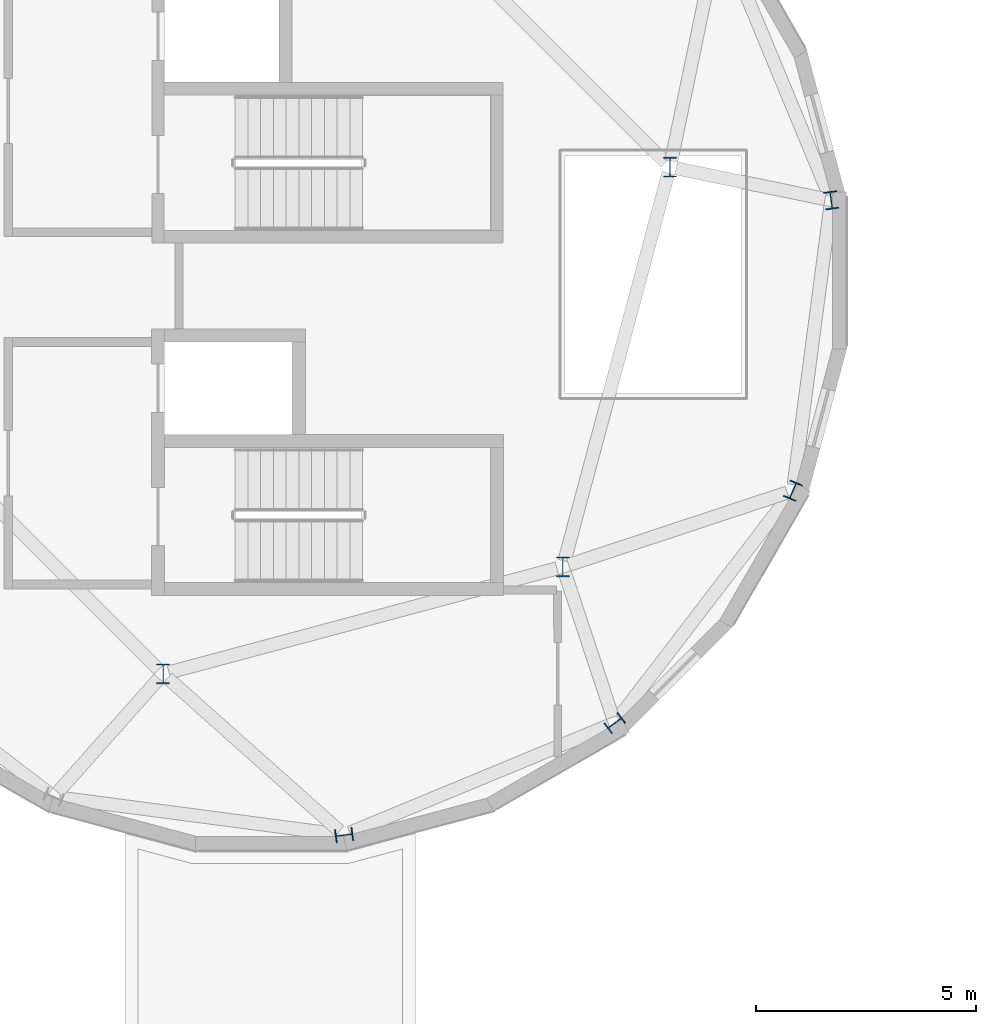
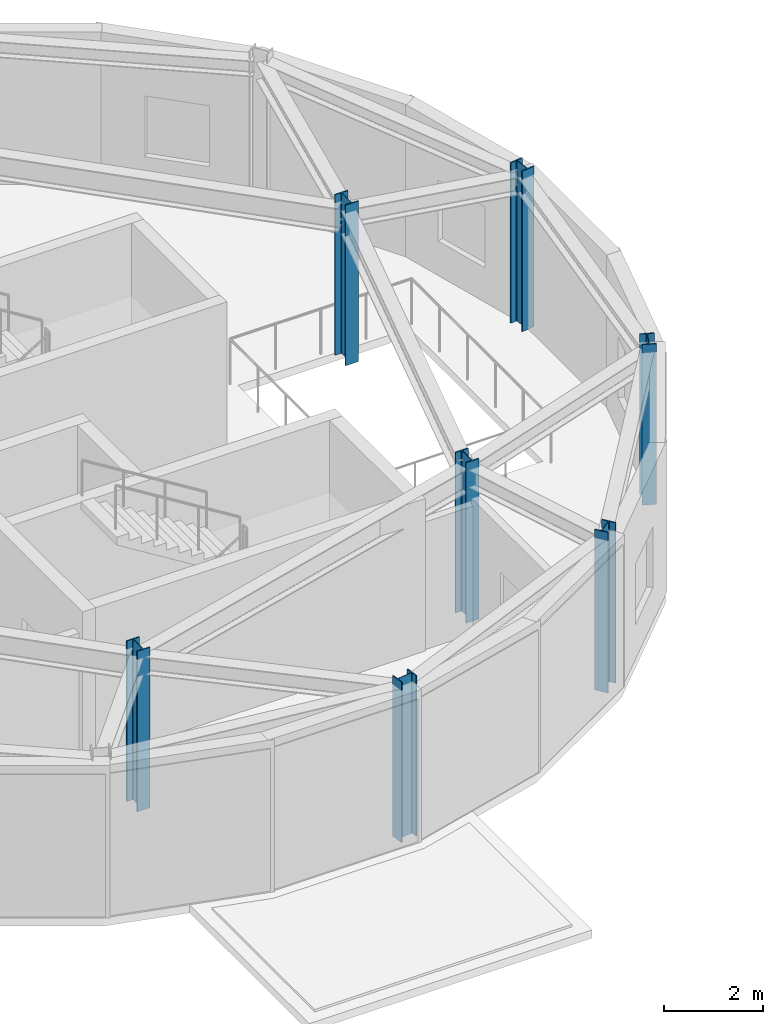
# One storey, part 5 of 44: 7 columns.
"""IFC4 building model written with IfcOpenShell, lengths in metres."""

from ifc_helpers import new_model, si_unit, direction, frame, origin, origin_2d, place, context, subcontext, project, spatial, i_section, extrude, material, material_profile, profile_set, type_object, element, save


model = new_model("IFC4")

# Units and contexts
model_context = context("Model", 3, precision=1e-05, world=origin(), true_north=direction((0.0, 1.0)))
body_context = subcontext(model_context, "Body", "Model", "MODEL_VIEW")
ifc_project = project(units=[si_unit("LENGTHUNIT", "METRE"), si_unit("AREAUNIT", "SQUARE_METRE"), si_unit("VOLUMEUNIT", "CUBIC_METRE"), si_unit("PLANEANGLEUNIT", "RADIAN"), si_unit("MASSUNIT", "GRAM", prefix="KILO")], contexts=[model_context])

# Site, building, storey
site_placement = place(None, origin())
site = spatial("IfcSite", under=ifc_project, at=site_placement, CompositionType="ELEMENT")
building_placement = place(site_placement, origin())
building = spatial("IfcBuilding", under=site, at=building_placement, Name="Varnklinge Art Gallery", CompositionType="ELEMENT")
storey_placement = place(building_placement, frame((0.0, 0.0, 13.679931640625)))
storey = spatial("IfcBuildingStorey", under=building, at=storey_placement, Name="L03", CompositionType="ELEMENT", Elevation=13.679931640625)

# Columns
ifc_material_1 = material(Name="Steel S355", Category="steel")
ifc_material_profile_1 = material_profile(ifc_material_1, i_section(OverallWidth=0.300048828125, OverallDepth=0.449951171875, WebThickness=0.013916015625, FlangeThickness=0.02587890625, FilletRadius=0.027099609375, at=origin_2d()), Name="HEB 450")
ifc_profile_set_1 = profile_set([ifc_material_profile_1], Name="Steel S355")
column_type_1 = type_object("IfcColumnType", Name="COL-06", PredefinedType="COLUMN", material=ifc_profile_set_1)
for number, where, z_axis, x_axis, name in (
    (1, (84.57958984375, 40.932861328125, 0.0), (0.0, 0.0, 1.0), (1.0, 0.0, 0.0), "L03 Column V4CI-1"),
    (2, (73.067138671875, 29.42041015625, 0.0), (0.0, 0.0, 1.0), (1.0, 0.0, 0.0), "L03 Column V4CI-5"),
    (3, (82.146728515625, 31.853271484375, 0.0), (0.0, 0.0, 1.0), (1.0, 0.0, 0.0), "L03 Column V4CI-6"),
):
    element("IfcColumn", number, at=place(storey_placement, frame(where, z_axis=z_axis, x_axis=x_axis)), inside=storey, type_object=column_type_1, Name=name, PredefinedType="COLUMN", context=body_context, shape_type="SweptSolid", body=[
        extrude(i_section(OverallWidth=0.300048828125, OverallDepth=0.449951171875, WebThickness=0.013916015625, FlangeThickness=0.02587890625, FilletRadius=0.027099609375, at=origin_2d()), origin(), (0.0, 0.0, 1.0), 3.9599609375),
    ])
ifc_material_2 = material(Name="Steel S355", Category="steel")
ifc_material_profile_2 = material_profile(ifc_material_2, i_section(OverallWidth=0.300048828125, OverallDepth=0.39990234375, WebThickness=0.013427734375, FlangeThickness=0.02392578125, FilletRadius=0.027099609375, at=origin_2d()), Name="HEB 400")
ifc_profile_set_2 = profile_set([ifc_material_profile_2], Name="Steel S355")
column_type_2 = type_object("IfcColumnType", Name="COL-E3", PredefinedType="COLUMN", material=ifc_profile_set_2)
for number, where, z_axis, x_axis, name in (
    (4, (88.239990234375, 40.17724609375, 0.0), (0.0, 0.0, 1.0), (0.991444861374, 0.13052619222, 0.0), "L03 Column V4CP-01"),
    (5, (77.17724609375, 25.760009765625, 0.0), (0.0, 0.0, 1.0), (0.13052619222, -0.991444861374, 0.0), "L03 Column V4CP-10"),
    (6, (83.322509765625, 28.305419921875, 0.0), (0.0, 0.0, 1.0), (0.608761429009, -0.793353340291, 0.0), "L03 Column V4CP-11"),
    (7, (87.371826171875, 33.58251953125, 0.0), (0.0, 0.0, 1.0), (0.923879532511, -0.382683432365, 0.0), "L03 Column V4CP-12"),
):
    element("IfcColumn", number, at=place(storey_placement, frame(where, z_axis=z_axis, x_axis=x_axis)), inside=storey, type_object=column_type_2, Name=name, PredefinedType="COLUMN", context=body_context, shape_type="SweptSolid", body=[
        extrude(i_section(OverallWidth=0.300048828125, OverallDepth=0.39990234375, WebThickness=0.013427734375, FlangeThickness=0.02392578125, FilletRadius=0.027099609375, at=origin_2d()), origin(), (0.0, 0.0, 1.0), 3.9599609375),
    ])

save(model, "model.ifc")
